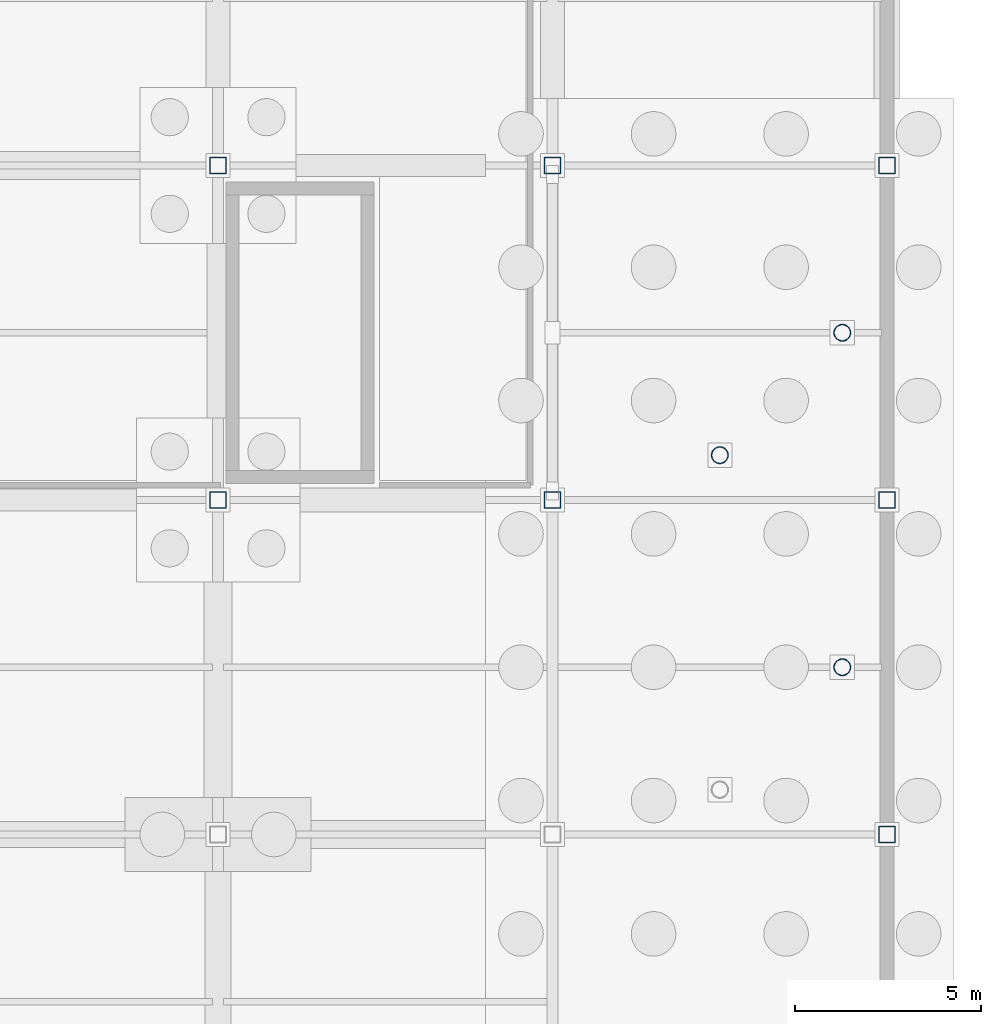
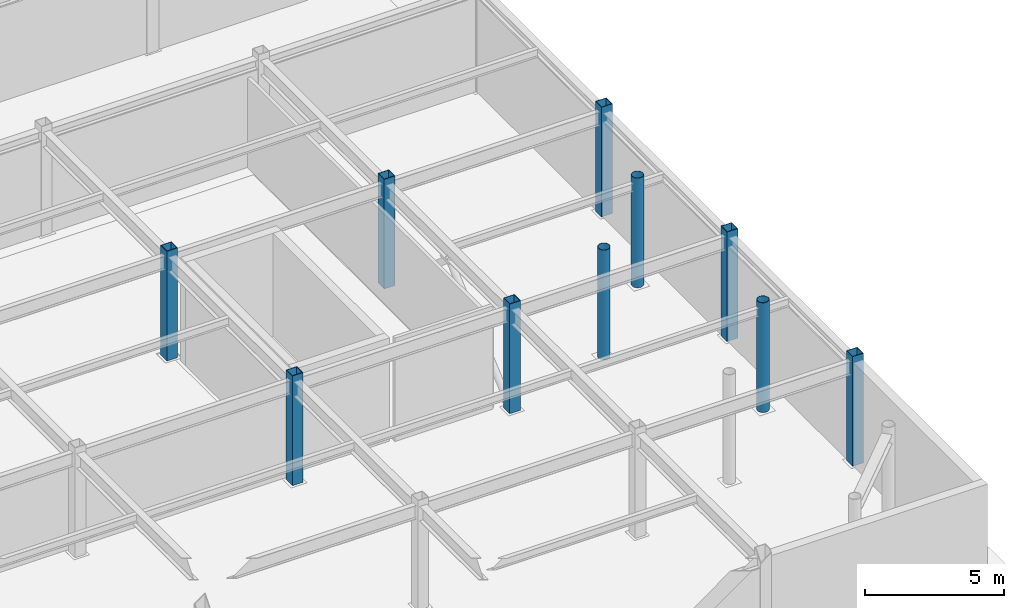
# One storey, part 34 of 74: 10 columns.
"""IFC4 building model written with IfcOpenShell, lengths in metres."""

from ifc_helpers import new_model, si_unit, direction, frame, origin, origin_2d, place, context, subcontext, project, spatial, hollow_rectangle, hollow_circle, extrude, material, material_profile, profile_set, type_object, element, save


model = new_model("IFC4")

# Units and contexts
model_context = context("Model", 3, precision=1e-05, world=origin(), true_north=direction((0.0, 1.0)))
body_context = subcontext(model_context, "Body", "Model", "MODEL_VIEW")
ifc_project = project(units=[si_unit("LENGTHUNIT", "METRE"), si_unit("AREAUNIT", "SQUARE_METRE"), si_unit("VOLUMEUNIT", "CUBIC_METRE"), si_unit("PLANEANGLEUNIT", "RADIAN"), si_unit("MASSUNIT", "GRAM", prefix="KILO")], contexts=[model_context])

# Site, building, storey
site_placement = place(None, origin())
site = spatial("IfcSite", under=ifc_project, at=site_placement, CompositionType="ELEMENT")
building_placement = place(site_placement, origin())
building = spatial("IfcBuilding", under=site, at=building_placement, Name="Suzunagisa Mobility Hub", CompositionType="ELEMENT")
storey_placement = place(building_placement, frame((0.0, 0.0, -4.800048828125)))
storey = spatial("IfcBuildingStorey", under=building, at=storey_placement, Name="B1", CompositionType="ELEMENT", Elevation=-4.800048828125)

# Columns
ifc_material = material(Name="Steel SN490B", Category="steel")
ifc_material_profile_1 = material_profile(ifc_material, hollow_circle(Radius=0.228515625, WallThickness=0.01611328125, at=origin_2d()), Name="CHS-457.2x16.0")
ifc_profile_set_1 = profile_set([ifc_material_profile_1], Name="Steel SN490B")
column_type_1 = type_object("IfcColumnType", Name="Steel Column CL-08 CHS-457.2x16.0", PredefinedType="COLUMN", material=ifc_profile_set_1)
for number, where, z_axis, x_axis, name in (
    (1, (175.5, 19.205810546875, 0.0), (0.0, 0.0, 1.0), (1.0, 0.0, 0.0), "B1 Column 311"),
    (2, (178.794189453125, 13.5, 0.0), (0.0, 0.0, 1.0), (1.0, 0.0, 0.0), "B1 Column 316"),
    (3, (178.794189453125, 22.5, 0.0), (0.0, 0.0, 1.0), (1.0, 0.0, 0.0), "B1 Column 317"),
):
    element("IfcColumn", number, at=place(storey_placement, frame(where, z_axis=z_axis, x_axis=x_axis)), inside=storey, type_object=column_type_1, Name=name, PredefinedType="COLUMN", context=body_context, shape_type="SweptSolid", body=[
        extrude(hollow_circle(Radius=0.228515625, WallThickness=0.01611328125, at=origin_2d()), origin(), (0.0, 0.0, 1.0), 4.800048828125),
    ])
ifc_material_profile_2 = material_profile(ifc_material, hollow_rectangle(XDim=0.449951171875, YDim=0.449951171875, WallThickness=0.02197265625, at=origin_2d()), Name="BCR-450x450x22")
ifc_profile_set_2 = profile_set([ifc_material_profile_2], Name="Steel SN490B")
column_type_2 = type_object("IfcColumnType", Name="Steel Column CL-17 BCR-450x450x22", PredefinedType="COLUMN", material=ifc_profile_set_2)
for number, where, z_axis, x_axis, name in (
    (4, (162.0, 18.0, 0.0), (0.0, 0.0, 1.0), (1.0, 0.0, 0.0), "B1 Column 285"),
    (5, (162.0, 27.0, 0.0), (0.0, 0.0, 1.0), (1.0, 0.0, 0.0), "B1 Column 286"),
    (6, (171.0, 18.0, 0.0), (0.0, 0.0, 1.0), (1.0, 0.0, 0.0), "B1 Column 298"),
    (7, (171.0, 27.0, 0.0), (0.0, 0.0, 1.0), (1.0, 0.0, 0.0), "B1 Column 299"),
    (8, (180.0, 9.0, 0.0), (0.0, 0.0, 1.0), (1.0, 0.0, 0.0), "B1 Column 321"),
    (9, (180.0, 18.0, 0.0), (0.0, 0.0, 1.0), (1.0, 0.0, 0.0), "B1 Column 322"),
    (10, (180.0, 27.0, 0.0), (0.0, 0.0, 1.0), (1.0, 0.0, 0.0), "B1 Column 323"),
):
    element("IfcColumn", number, at=place(storey_placement, frame(where, z_axis=z_axis, x_axis=x_axis)), inside=storey, type_object=column_type_2, Name=name, PredefinedType="COLUMN", context=body_context, shape_type="SweptSolid", body=[
        extrude(hollow_rectangle(XDim=0.449951171875, YDim=0.449951171875, WallThickness=0.02197265625, at=origin_2d()), origin(), (0.0, 0.0, 1.0), 4.800048828125),
    ])

save(model, "model.ifc")
